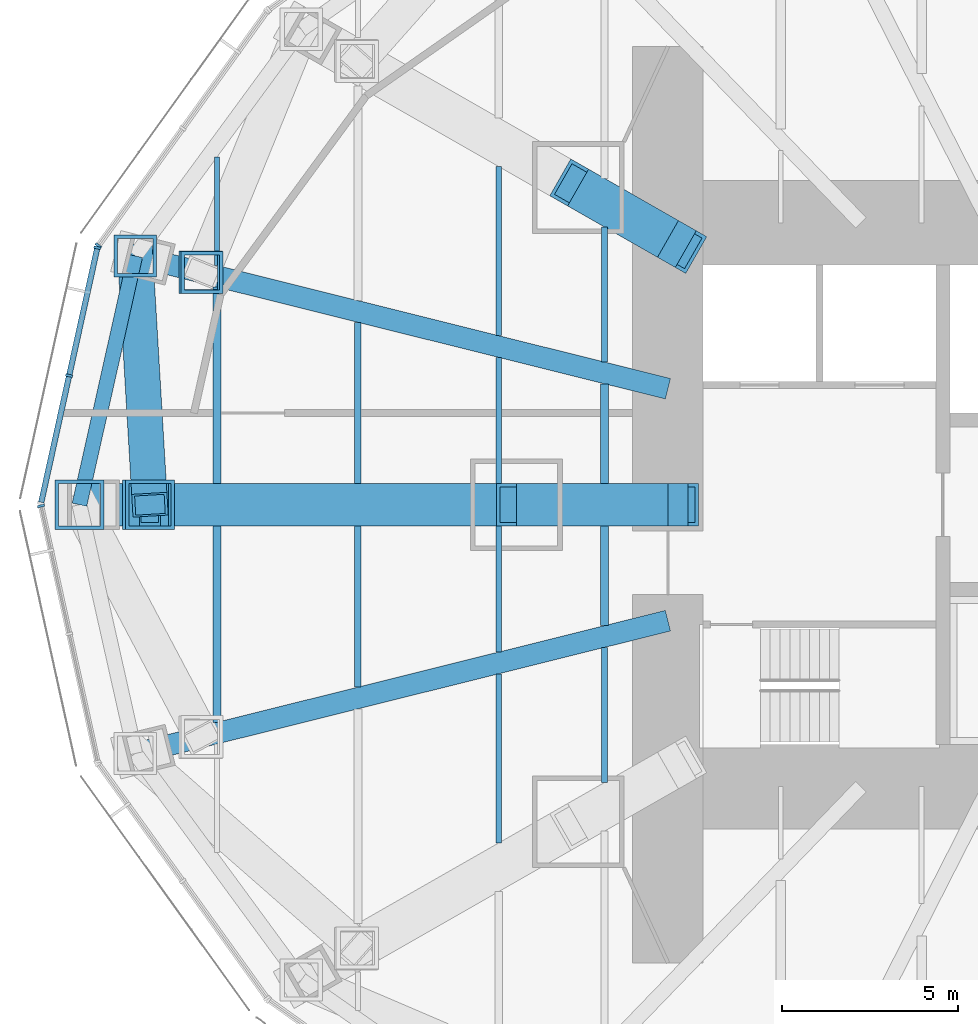
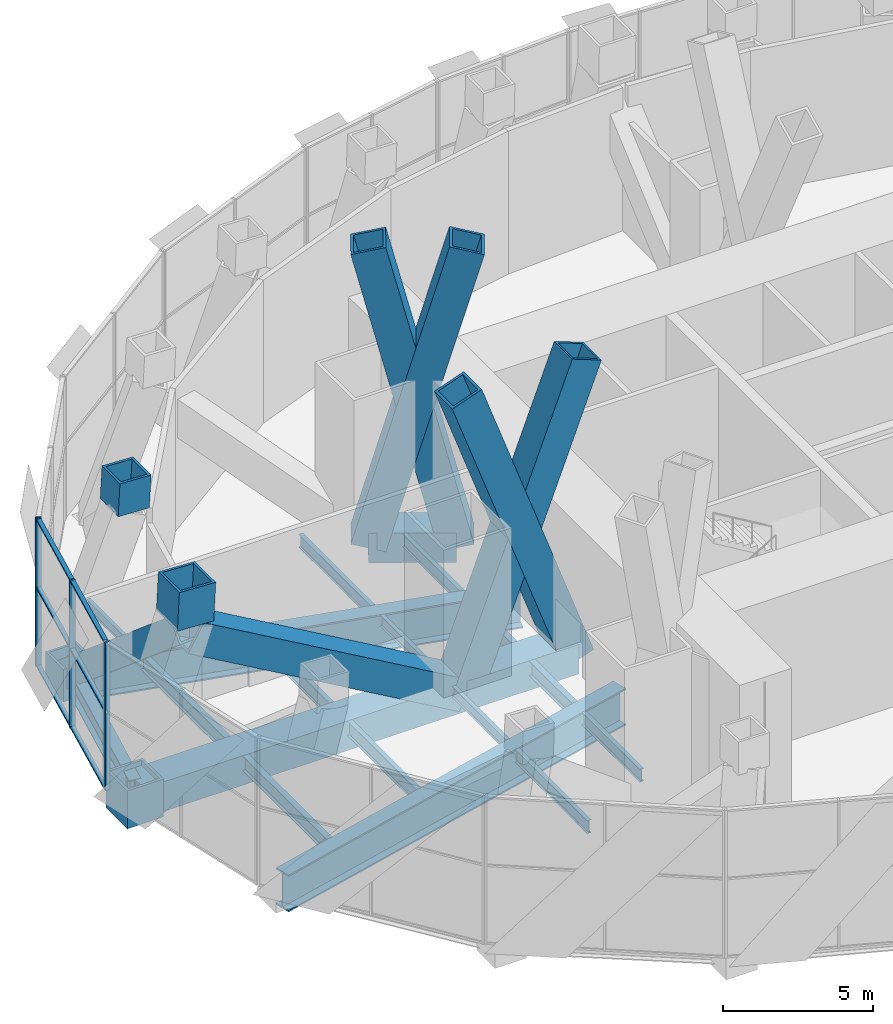
# One storey, part 4 of 21: 20 members, 19 beams, 3 elements without a shape of their own.
"""IFC4 building model written with IfcOpenShell, lengths in metres."""

from ifc_helpers import new_model, si_unit, direction, frame, origin, origin_2d, place, context, subcontext, project, spatial, rectangle, hollow_rectangle, i_section, extrude, material, material_profile, profile_set, type_object, element, aggregate, save


model = new_model("IFC4")

# Units and contexts
model_context = context("Model", 3, precision=1e-05, world=origin(), true_north=direction((0.0, 1.0)))
body_context = subcontext(model_context, "Body", "Model", "MODEL_VIEW")
ifc_project = project(units=[si_unit("LENGTHUNIT", "METRE"), si_unit("AREAUNIT", "SQUARE_METRE"), si_unit("VOLUMEUNIT", "CUBIC_METRE"), si_unit("PLANEANGLEUNIT", "RADIAN"), si_unit("MASSUNIT", "GRAM", prefix="KILO")], contexts=[model_context])

# Site, building, storey
site_placement = place(None, origin())
site = spatial("IfcSite", under=ifc_project, at=site_placement, CompositionType="ELEMENT")
building_placement = place(site_placement, origin())
building = spatial("IfcBuilding", under=site, at=building_placement, Name="Lantaw Convention Tower", CompositionType="ELEMENT")
storey_placement = place(building_placement, frame((0.0, 0.0, 105.39990234375)))
storey = spatial("IfcBuildingStorey", under=building, at=storey_placement, Name="L25", CompositionType="ELEMENT", Elevation=105.39990234375)

# Beams
ifc_material_1 = material(Name="Steel ASTM A992", Category="steel")
ifc_material_profile_1 = material_profile(ifc_material_1, i_section(OverallWidth=0.424072265625, OverallDepth=0.947509765625, WebThickness=0.02392578125, FlangeThickness=0.042724609375, FilletRadius=0.012451171875, at=origin_2d()), Name="W36X302")
ifc_profile_set_1 = profile_set([ifc_material_profile_1], Name="Steel ASTM A992")
beam_type_1 = type_object("IfcBeamType", Name="Beam BC W36X302", PredefinedType="SPANDREL", material=ifc_profile_set_1)
beam_1_placement = place(storey_placement, frame((-28.31787109375, 7.060302734375, -0.673583984375), z_axis=(-0.218652184873, -0.975802860239, 0.0), x_axis=(0.975802860239, -0.218652184873, 0.0)))
element("IfcBeam", 1, at=beam_1_placement, inside=storey, type_object=beam_type_1, Name="Belt truss chord 12", PredefinedType="SPANDREL", context=body_context, shape_type="SweptSolid", body=[
    extrude(i_section(OverallWidth=0.424072265625, OverallDepth=0.947509765625, WebThickness=0.02392578125, FlangeThickness=0.042724609375, FilletRadius=0.012451171875, at=origin_2d()), origin(), (0.0, 0.0, 1.0), 7.2353515625),
])
ifc_material_2 = material(Name="Steel EN 10025-3 S460N", Category="steel")
ifc_material_profile_2 = material_profile(ifc_material_2, hollow_rectangle(XDim=1.199951171875, YDim=1.199951171875, WallThickness=0.10009765625, at=origin_2d()), Name="BOX1200X100")
ifc_profile_set_2 = profile_set([ifc_material_profile_2], Name="Steel EN 10025-3 S460N")
beam_type_2 = type_object("IfcBeamType", Name="Beam G BOX1200X100", PredefinedType="BEAM", material=ifc_profile_set_2)
beam_2_placement = place(storey_placement, frame((-17.5, 0.0, -0.7998046875), z_axis=(-1.0, 0.0, 0.0), x_axis=(0.0, -1.0, 0.0)))
element("IfcBeam", 2, at=beam_2_placement, inside=storey, type_object=beam_type_2, Name="Floor girder on ray 13", PredefinedType="BEAM", context=body_context, shape_type="SweptSolid", body=[
    extrude(hollow_rectangle(XDim=1.199951171875, YDim=1.199951171875, WallThickness=0.10009765625, at=origin_2d()), origin(), (0.0, 0.0, 1.0), 12.39990234375),
])
ifc_material_3 = material(Name="Steel ASTM A572 Grade 50", Category="steel")
ifc_material_profile_3 = material_profile(ifc_material_3, i_section(OverallWidth=0.60009765625, OverallDepth=1.5, WebThickness=0.02490234375, FlangeThickness=0.06005859375, at=origin_2d()), Name="PG1500X600X25X60")
ifc_profile_set_3 = profile_set([ifc_material_profile_3], Name="Steel ASTM A572 Grade 50")
beam_type_3 = type_object("IfcBeamType", Name="Beam G PG1500X600X25X60", PredefinedType="BEAM", material=ifc_profile_set_3)
for number, where, z_axis, x_axis, name in (
    (3, (-13.199951171875, 3.291015625, -0.949951171875), (-0.970296233567, 0.241919860957, 0.0), (-0.241919860957, -0.970296233567, 0.0), "Floor girder on ray 12"),
    (4, (-13.199951171875, -3.291015625, -0.949951171875), (-0.970296233567, -0.241919860957, 0.0), (0.241919860957, -0.970296233567, 0.0), "Floor girder on ray 14"),
):
    element("IfcBeam", number, at=place(storey_placement, frame(where, z_axis=z_axis, x_axis=x_axis)), inside=storey, type_object=beam_type_3, Name=name, PredefinedType="BEAM", context=body_context, shape_type="SweptSolid", body=[
        extrude(i_section(OverallWidth=0.60009765625, OverallDepth=1.5, WebThickness=0.02490234375, FlangeThickness=0.06005859375, at=origin_2d()), origin(), (0.0, 0.0, 1.0), 15.580810546875),
    ])
ifc_material_profile_4 = material_profile(ifc_material_1, i_section(OverallWidth=0.140380859375, OverallDepth=0.40380859375, WebThickness=0.007080078125, FlangeThickness=0.01123046875, FilletRadius=0.01025390625, at=origin_2d()), Name="W16X31")
ifc_profile_set_4 = profile_set([ifc_material_profile_4], Name="Steel ASTM A992")
beam_type_4 = type_object("IfcBeamType", Name="Beam J W16X31", PredefinedType="JOIST", material=ifc_profile_set_4)
beam_3_placement = place(storey_placement, frame((-26.0, 6.791748046875, -0.40185546875), z_axis=(0.0, 1.0, 0.0), x_axis=(-1.0, 0.0, 0.0)))
element("IfcBeam", 5, at=beam_3_placement, inside=storey, type_object=beam_type_4, Name="Floor joist", PredefinedType="JOIST", context=body_context, shape_type="SweptSolid", body=[
    extrude(i_section(OverallWidth=0.140380859375, OverallDepth=0.40380859375, WebThickness=0.007080078125, FlangeThickness=0.01123046875, FilletRadius=0.01025390625, at=origin_2d()), origin(), (0.0, 0.0, 1.0), 3.0712890625),
])
ifc_material_profile_5 = material_profile(ifc_material_1, i_section(OverallWidth=0.15234375, OverallDepth=0.449462890625, WebThickness=0.007568359375, FlangeThickness=0.0107421875, FilletRadius=0.01025390625, at=origin_2d()), Name="W18X35")
ifc_profile_set_5 = profile_set([ifc_material_profile_5], Name="Steel ASTM A992")
beam_type_5 = type_object("IfcBeamType", Name="Beam J W18X35", PredefinedType="JOIST", material=ifc_profile_set_5)
for number, where, z_axis, x_axis, name in (
    (6, (-18.0, -4.1787109375, -0.4248046875), (0.0, 1.0, 0.0), (-1.0, 0.0, 0.0), "Floor joist"),
    (7, (-18.0, 0.60009765625, -0.4248046875), (0.0, 1.0, 0.0), (-1.0, 0.0, 0.0), "Floor joist"),
):
    element("IfcBeam", number, at=place(storey_placement, frame(where, z_axis=z_axis, x_axis=x_axis)), inside=storey, type_object=beam_type_5, Name=name, PredefinedType="JOIST", context=body_context, shape_type="SweptSolid", body=[
        extrude(i_section(OverallWidth=0.15234375, OverallDepth=0.449462890625, WebThickness=0.007568359375, FlangeThickness=0.0107421875, FilletRadius=0.01025390625, at=origin_2d()), origin(), (0.0, 0.0, 1.0), 3.57861328125),
    ])
ifc_material_profile_6 = material_profile(ifc_material_1, i_section(OverallWidth=0.1650390625, OverallDepth=0.52587890625, WebThickness=0.0087890625, FlangeThickness=0.011474609375, FilletRadius=0.0126953125, at=origin_2d()), Name="W21X44")
ifc_profile_set_6 = profile_set([ifc_material_profile_6], Name="Steel ASTM A992")
beam_type_6 = type_object("IfcBeamType", Name="Beam J W21X44", PredefinedType="JOIST", material=ifc_profile_set_6)
for number, where, z_axis, x_axis, name in (
    (8, (-18.0, -9.5947265625, -0.462890625), (0.0, 1.0, 0.0), (-1.0, 0.0, 0.0), "Floor joist"),
    (9, (-18.0, 4.797119140625, -0.462890625), (0.0, 1.0, 0.0), (-1.0, 0.0, 0.0), "Floor joist"),
):
    element("IfcBeam", number, at=place(storey_placement, frame(where, z_axis=z_axis, x_axis=x_axis)), inside=storey, type_object=beam_type_6, Name=name, PredefinedType="JOIST", context=body_context, shape_type="SweptSolid", body=[
        extrude(i_section(OverallWidth=0.1650390625, OverallDepth=0.52587890625, WebThickness=0.0087890625, FlangeThickness=0.011474609375, FilletRadius=0.0126953125, at=origin_2d()), origin(), (0.0, 0.0, 1.0), 4.797607421875),
    ])
for number, where, z_axis, x_axis, name in (
    (10, (-15.0, -7.88037109375, -0.462890625), (0.0, 1.0, 0.0), (-1.0, 0.0, 0.0), "Floor joist"),
    (11, (-15.0, 4.049072265625, -0.462890625), (0.0, 1.0, 0.0), (-1.0, 0.0, 0.0), "Floor joist"),
):
    element("IfcBeam", number, at=place(storey_placement, frame(where, z_axis=z_axis, x_axis=x_axis)), inside=storey, type_object=beam_type_6, Name=name, PredefinedType="JOIST", context=body_context, shape_type="SweptSolid", body=[
        extrude(i_section(OverallWidth=0.1650390625, OverallDepth=0.52587890625, WebThickness=0.0087890625, FlangeThickness=0.011474609375, FilletRadius=0.0126953125, at=origin_2d()), origin(), (0.0, 0.0, 1.0), 3.831298828125),
    ])
ifc_material_profile_7 = material_profile(ifc_material_1, i_section(OverallWidth=0.177978515625, OverallDepth=0.599365234375, WebThickness=0.010009765625, FlangeThickness=0.012939453125, FilletRadius=0.012939453125, at=origin_2d()), Name="W24X55")
ifc_profile_set_7 = profile_set([ifc_material_profile_7], Name="Steel ASTM A992")
beam_type_7 = type_object("IfcBeamType", Name="Beam J W24X55", PredefinedType="JOIST", material=ifc_profile_set_7)
for number, where, z_axis, x_axis, name in (
    (12, (-22.0, -5.176025390625, -0.49951171875), (0.0, 1.0, 0.0), (-1.0, 0.0, 0.0), "Floor joist"),
    (13, (-22.0, 0.60009765625, -0.49951171875), (0.0, 1.0, 0.0), (-1.0, 0.0, 0.0), "Floor joist"),
):
    element("IfcBeam", number, at=place(storey_placement, frame(where, z_axis=z_axis, x_axis=x_axis)), inside=storey, type_object=beam_type_7, Name=name, PredefinedType="JOIST", context=body_context, shape_type="SweptSolid", body=[
        extrude(i_section(OverallWidth=0.177978515625, OverallDepth=0.599365234375, WebThickness=0.010009765625, FlangeThickness=0.012939453125, FilletRadius=0.012939453125, at=origin_2d()), origin(), (0.0, 0.0, 1.0), 4.575927734375),
    ])
ifc_material_profile_8 = material_profile(ifc_material_1, i_section(OverallWidth=0.22900390625, OverallDepth=0.612060546875, WebThickness=0.011962890625, FlangeThickness=0.01953125, FilletRadius=0.0126953125, at=origin_2d()), Name="W24X84")
ifc_profile_set_8 = profile_set([ifc_material_profile_8], Name="Steel ASTM A992")
beam_type_8 = type_object("IfcBeamType", Name="Beam J W24X84", PredefinedType="JOIST", material=ifc_profile_set_8)
for number, where, z_axis, x_axis, name in (
    (14, (-26.0, -6.17333984375, -0.505859375), (0.0, 1.0, 0.0), (-1.0, 0.0, 0.0), "Floor joist"),
    (15, (-26.0, 0.60009765625, -0.505859375), (0.0, 1.0, 0.0), (-1.0, 0.0, 0.0), "Floor joist"),
):
    element("IfcBeam", number, at=place(storey_placement, frame(where, z_axis=z_axis, x_axis=x_axis)), inside=storey, type_object=beam_type_8, Name=name, PredefinedType="JOIST", context=body_context, shape_type="SweptSolid", body=[
        extrude(i_section(OverallWidth=0.22900390625, OverallDepth=0.612060546875, WebThickness=0.011962890625, FlangeThickness=0.01953125, FilletRadius=0.0126953125, at=origin_2d()), origin(), (0.0, 0.0, 1.0), 5.5732421875),
    ])
for number, where, z_axis, x_axis, name in (
    (16, (-15.0, -3.4306640625, -0.505859375), (0.0, 1.0, 0.0), (-1.0, 0.0, 0.0), "Floor joist"),
    (17, (-15.0, 0.60009765625, -0.505859375), (0.0, 1.0, 0.0), (-1.0, 0.0, 0.0), "Floor joist"),
):
    element("IfcBeam", number, at=place(storey_placement, frame(where, z_axis=z_axis, x_axis=x_axis)), inside=storey, type_object=beam_type_8, Name=name, PredefinedType="JOIST", context=body_context, shape_type="SweptSolid", body=[
        extrude(i_section(OverallWidth=0.22900390625, OverallDepth=0.612060546875, WebThickness=0.011962890625, FlangeThickness=0.01953125, FilletRadius=0.0126953125, at=origin_2d()), origin(), (0.0, 0.0, 1.0), 2.83056640625),
    ])
ifc_material_profile_9 = material_profile(ifc_material_2, hollow_rectangle(XDim=1.199951171875, YDim=1.199951171875, WallThickness=0.10009765625, at=origin_2d()), Name="BOX1200X100")
ifc_profile_set_9 = profile_set([ifc_material_profile_9], Name="Steel EN 10025-3 S460N")
beam_type_9 = type_object("IfcBeamType", Name="Beam OC BOX1200X100", PredefinedType="BEAM", material=ifc_profile_set_9)
beam_4_placement = place(storey_placement, frame((-13.199951171875, 7.54296875, -0.7998046875), z_axis=(-0.868263603466, 0.496103129295, 0.0), x_axis=(-0.496103129295, -0.868263603466, 0.0)))
element("IfcBeam", 18, at=beam_4_placement, inside=storey, type_object=beam_type_9, Name="Outrigger chord on ray 11", PredefinedType="BEAM", context=body_context, shape_type="SweptSolid", body=[
    extrude(hollow_rectangle(XDim=1.199951171875, YDim=1.199951171875, WallThickness=0.10009765625, at=origin_2d()), origin(), (0.0, 0.0, 1.0), 2.93701171875),
])
beam_5_placement = place(storey_placement, frame((-13.199951171875, 0.0, -0.7998046875), z_axis=(-1.0, 0.0, 0.0), x_axis=(0.0, -1.0, 0.0)))
element("IfcBeam", 19, at=beam_5_placement, inside=storey, type_object=beam_type_9, Name="Outrigger chord on ray 13", PredefinedType="BEAM", context=body_context, shape_type="SweptSolid", body=[
    extrude(hollow_rectangle(XDim=1.199951171875, YDim=1.199951171875, WallThickness=0.10009765625, at=origin_2d()), origin(), (0.0, 0.0, 1.0), 4.300048828125),
])

# Curtain wall, member
ifc_material_4 = material(Name="Aluminium framed curtain wall", Category="aluminium")
curtain_wall_type = type_object("IfcCurtainWallType", Name="Plant floor louvre wall, pale aluminium", PredefinedType="USERDEFINED", material=ifc_material_4)
curtain_wall_1_placement = place(storey_placement, origin())
curtain_wall_1 = element("IfcCurtainWall", 20, at=curtain_wall_1_placement, inside=storey, type_object=curtain_wall_type, Name="Plant floor louvre wall, pale aluminium L25", ObjectType="LOUVRE WALL", PredefinedType="USERDEFINED")
ifc_material_5 = material(Name="Aluminium 6063-T6", Category="aluminium")
ifc_material_profile_10 = material_profile(ifc_material_5, rectangle(XDim=0.199951171875, YDim=0.070068359375, at=origin_2d()), Name="CW-LV mullion 70x200")
ifc_profile_set_10 = profile_set([ifc_material_profile_10], Name="Aluminium 6063-T6")
member_type_1 = type_object("IfcMemberType", Name="CW-LV mullion 70x200", PredefinedType="MULLION", material=ifc_profile_set_10)
member_1_placement = place(storey_placement, frame((-29.36474609375, 7.35498046875, -0.199951171875), z_axis=(0.0, 0.0, 1.0), x_axis=(0.811788726895, -0.583951250436, 0.0)))
member_1 = element("IfcMember", 21, at=member_1_placement, type_object=member_type_1, Name="CW-LV mullion 3", PredefinedType="MULLION", context=body_context, shape_type="SweptSolid", body=[
    extrude(rectangle(XDim=0.199951171875, YDim=0.070068359375, at=origin_2d()), origin(), (0.0, 0.0, 1.0), 6.0),
])
aggregate(curtain_wall_1, [member_1])

# Curtain wall, members
curtain_wall_2_placement = place(storey_placement, origin())
curtain_wall_2 = element("IfcCurtainWall", 22, at=curtain_wall_2_placement, inside=storey, type_object=curtain_wall_type, Name="Plant floor louvre wall, pale aluminium L25", ObjectType="LOUVRE WALL", PredefinedType="USERDEFINED")
member_2_placement = place(storey_placement, frame((-29.392578125, 7.29248046875, -0.199951171875), z_axis=(0.0, 0.0, 1.0), x_axis=(0.976559847223, -0.215246056391, 0.0)))
member_2 = element("IfcMember", 23, at=member_2_placement, type_object=member_type_1, Name="CW-LV mullion 1", PredefinedType="MULLION", context=body_context, shape_type="SweptSolid", body=[
    extrude(rectangle(XDim=0.199951171875, YDim=0.070068359375, at=origin_2d()), origin(), (0.0, 0.0, 1.0), 6.0),
])
member_3_placement = place(storey_placement, frame((-30.192626953125, 3.663330078125, -0.199951171875), z_axis=(0.0, 0.0, 1.0), x_axis=(0.976559847223, -0.215246056391, 0.0)))
member_3 = element("IfcMember", 24, at=member_3_placement, type_object=member_type_1, Name="CW-LV mullion 2", PredefinedType="MULLION", context=body_context, shape_type="SweptSolid", body=[
    extrude(rectangle(XDim=0.199951171875, YDim=0.070068359375, at=origin_2d()), origin(), (0.0, 0.0, 1.0), 6.0),
])

# Curtain wall, member
curtain_wall_3_placement = place(storey_placement, origin())
curtain_wall_3 = element("IfcCurtainWall", 25, at=curtain_wall_3_placement, inside=storey, type_object=curtain_wall_type, Name="Plant floor louvre wall, pale aluminium L25", ObjectType="LOUVRE WALL", PredefinedType="USERDEFINED")
member_4_placement = place(storey_placement, frame((-30.992431640625, -0.0341796875, -0.199951171875), z_axis=(0.0, 0.0, 1.0), x_axis=(0.976559847223, 0.215246056391, 0.0)))
member_4 = element("IfcMember", 26, at=member_4_placement, type_object=member_type_1, Name="CW-LV mullion 1", PredefinedType="MULLION", context=body_context, shape_type="SweptSolid", body=[
    extrude(rectangle(XDim=0.199951171875, YDim=0.070068359375, at=origin_2d()), origin(), (0.0, 0.0, 1.0), 6.0),
])
aggregate(curtain_wall_3, [member_4])

# Member
ifc_material_profile_11 = material_profile(ifc_material_5, rectangle(XDim=0.159912109375, YDim=0.070068359375, at=origin_2d()), Name="CW-LV transom 70x160")
ifc_profile_set_11 = profile_set([ifc_material_profile_11], Name="Aluminium 6063-T6")
member_type_2 = type_object("IfcMemberType", Name="CW-LV transom 70x160", PredefinedType="USERDEFINED", material=ifc_profile_set_11)
member_5_placement = place(storey_placement, frame((-29.400146484375, 7.25830078125, -0.164794921875), z_axis=(-0.215264114619, -0.976555866788, 0.0), x_axis=(0.976555866788, -0.215264114619, 0.0)))
member_5 = element("IfcMember", 27, at=member_5_placement, type_object=member_type_2, Name="CW-LV transom 1.1", ObjectType="TRANSOM", PredefinedType="USERDEFINED", context=body_context, shape_type="SweptSolid", body=[
    extrude(rectangle(XDim=0.159912109375, YDim=0.070068359375, at=origin_2d()), origin(), (0.0, 0.0, 1.0), 3.646240234375),
])

member_6_placement = place(storey_placement, frame((-29.400146484375, 7.25830078125, 3.0), z_axis=(-0.215264114619, -0.976555866788, 0.0), x_axis=(0.976555866788, -0.215264114619, 0.0)))
member_6 = element("IfcMember", 28, at=member_6_placement, type_object=member_type_2, Name="CW-LV transom 1.2", ObjectType="TRANSOM", PredefinedType="USERDEFINED", context=body_context, shape_type="SweptSolid", body=[
    extrude(rectangle(XDim=0.159912109375, YDim=0.070068359375, at=origin_2d()), origin(), (0.0, 0.0, 1.0), 3.646240234375),
])

member_7_placement = place(storey_placement, frame((-29.400146484375, 7.25830078125, 5.76513671875), z_axis=(-0.215264114619, -0.976555866788, 0.0), x_axis=(0.976555866788, -0.215264114619, 0.0)))
member_7 = element("IfcMember", 29, at=member_7_placement, type_object=member_type_2, Name="CW-LV transom 1.3", ObjectType="TRANSOM", PredefinedType="USERDEFINED", context=body_context, shape_type="SweptSolid", body=[
    extrude(rectangle(XDim=0.159912109375, YDim=0.070068359375, at=origin_2d()), origin(), (0.0, 0.0, 1.0), 3.646240234375),
])

member_8_placement = place(storey_placement, frame((-30.2001953125, 3.629150390625, -0.164794921875), z_axis=(-0.215200259718, -0.976569940259, 0.0), x_axis=(0.976569940259, -0.215200259718, 0.0)))
member_8 = element("IfcMember", 30, at=member_8_placement, type_object=member_type_2, Name="CW-LV transom 2.1", ObjectType="TRANSOM", PredefinedType="USERDEFINED", context=body_context, shape_type="SweptSolid", body=[
    extrude(rectangle(XDim=0.159912109375, YDim=0.070068359375, at=origin_2d()), origin(), (0.0, 0.0, 1.0), 3.646240234375),
])

member_9_placement = place(storey_placement, frame((-30.2001953125, 3.629150390625, 3.0), z_axis=(-0.215200259718, -0.976569940259, 0.0), x_axis=(0.976569940259, -0.215200259718, 0.0)))
member_9 = element("IfcMember", 31, at=member_9_placement, type_object=member_type_2, Name="CW-LV transom 2.2", ObjectType="TRANSOM", PredefinedType="USERDEFINED", context=body_context, shape_type="SweptSolid", body=[
    extrude(rectangle(XDim=0.159912109375, YDim=0.070068359375, at=origin_2d()), origin(), (0.0, 0.0, 1.0), 3.646240234375),
])

member_10_placement = place(storey_placement, frame((-30.2001953125, 3.629150390625, 5.76513671875), z_axis=(-0.215200259718, -0.976569940259, 0.0), x_axis=(0.976569940259, -0.215200259718, 0.0)))
member_10 = element("IfcMember", 32, at=member_10_placement, type_object=member_type_2, Name="CW-LV transom 2.3", ObjectType="TRANSOM", PredefinedType="USERDEFINED", context=body_context, shape_type="SweptSolid", body=[
    extrude(rectangle(XDim=0.159912109375, YDim=0.070068359375, at=origin_2d()), origin(), (0.0, 0.0, 1.0), 3.646240234375),
])

aggregate(curtain_wall_2, [member_2, member_3, member_5, member_6, member_7, member_8, member_9, member_10])

# Members
ifc_material_profile_12 = material_profile(ifc_material_3, hollow_rectangle(XDim=1.0, YDim=1.0, WallThickness=0.080078125, at=origin_2d()), Name="BOX1000X80")
ifc_profile_set_12 = profile_set([ifc_material_profile_12], Name="Steel ASTM A572 Grade 50")
member_type_3 = type_object("IfcMemberType", Name="Member BT BOX1000X80", PredefinedType="BRACE", material=ifc_profile_set_12)
member_11_placement = place(storey_placement, frame((-28.31787109375, 7.060302734375, -0.673583984375), z_axis=(0.045064815691, -0.761232129065, 0.646911746737), x_axis=(0.998252282302, 0.059096369422, 0.0)))
element("IfcMember", 33, at=member_11_placement, inside=storey, type_object=member_type_3, Name="Belt truss diagonal 12", PredefinedType="BRACE", context=body_context, shape_type="SweptSolid", body=[
    extrude(hollow_rectangle(XDim=1.0, YDim=1.0, WallThickness=0.080078125, at=origin_2d()), origin(), (0.0, 0.0, 1.0), 9.27490234375),
])
ifc_material_6 = material(Name="Cast steel ASTM A148 Grade 80-50", Category="steel")
ifc_material_profile_13 = material_profile(ifc_material_6, hollow_rectangle(XDim=1.199951171875, YDim=1.199951171875, WallThickness=0.10009765625, at=origin_2d()), Name="BOX1200X100")
ifc_profile_set_13 = profile_set([ifc_material_profile_13], Name="Cast steel ASTM A148 Grade 80-50")
member_type_4 = type_object("IfcMemberType", Name="Member CN BOX1200X100", PredefinedType="USERDEFINED", material=ifc_profile_set_13)
member_12_placement = place(storey_placement, frame((-28.31787109375, 7.060302734375, -1.31982421875), z_axis=(0.0, 0.0, 1.0), x_axis=(1.0, 0.0, 0.0)))
element("IfcMember", 34, at=member_12_placement, inside=storey, type_object=member_type_4, Name="Cast steel column node", ObjectType="COLUMN NODE", PredefinedType="USERDEFINED", context=body_context, shape_type="SweptSolid", body=[
    extrude(hollow_rectangle(XDim=1.199951171875, YDim=1.199951171875, WallThickness=0.10009765625, at=origin_2d()), origin(), (0.0, 0.0, 1.0), 1.31982421875),
])
member_13_placement = place(storey_placement, frame((-26.479736328125, 6.60205078125, 5.81103515625), z_axis=(0.045262314505, -0.011269392591, 0.998911569498), x_axis=(0.998975084207, 0.00083343341, -0.045255789938)))
element("IfcMember", 35, at=member_13_placement, inside=storey, type_object=member_type_4, Name="Cast steel column node", ObjectType="COLUMN NODE", PredefinedType="USERDEFINED", context=body_context, shape_type="SweptSolid", body=[
    extrude(hollow_rectangle(XDim=1.199951171875, YDim=1.199951171875, WallThickness=0.10009765625, at=origin_2d()), origin(), (0.0, 0.0, 1.0), 1.321533203125),
])
ifc_material_profile_14 = material_profile(ifc_material_6, hollow_rectangle(XDim=1.39990234375, YDim=1.39990234375, WallThickness=0.10009765625, at=origin_2d()), Name="BOX1400X100")
ifc_profile_set_14 = profile_set([ifc_material_profile_14], Name="Cast steel ASTM A148 Grade 80-50")
member_type_5 = type_object("IfcMemberType", Name="Member CN BOX1400X100", PredefinedType="USERDEFINED", material=ifc_profile_set_14)
member_14_placement = place(storey_placement, frame((-29.89990234375, 0.0, -1.539794921875), z_axis=(0.0, 0.0, 1.0), x_axis=(1.0, 0.0, 0.0)))
element("IfcMember", 36, at=member_14_placement, inside=storey, type_object=member_type_5, Name="Cast steel column node", ObjectType="COLUMN NODE", PredefinedType="USERDEFINED", context=body_context, shape_type="SweptSolid", body=[
    extrude(hollow_rectangle(XDim=1.39990234375, YDim=1.39990234375, WallThickness=0.10009765625, at=origin_2d()), origin(), (0.0, 0.0, 1.0), 1.539794921875),
])
member_15_placement = place(storey_placement, frame((-27.974853515625, 0.0, 5.775634765625), z_axis=(0.048610821675, 0.0, 0.998817795204), x_axis=(0.998817795204, 0.0, -0.048610821675)))
element("IfcMember", 37, at=member_15_placement, inside=storey, type_object=member_type_5, Name="Cast steel column node", ObjectType="COLUMN NODE", PredefinedType="USERDEFINED", context=body_context, shape_type="SweptSolid", body=[
    extrude(hollow_rectangle(XDim=1.39990234375, YDim=1.39990234375, WallThickness=0.10009765625, at=origin_2d()), origin(), (0.0, 0.0, 1.0), 1.541748046875),
])
ifc_material_profile_15 = material_profile(ifc_material_2, hollow_rectangle(XDim=1.199951171875, YDim=1.199951171875, WallThickness=0.10009765625, at=origin_2d()), Name="BOX1200X100")
ifc_profile_set_15 = profile_set([ifc_material_profile_15], Name="Steel EN 10025-3 S460N")
member_type_6 = type_object("IfcMemberType", Name="Member OT BOX1200X100", PredefinedType="BRACE", material=ifc_profile_set_15)
member_16_placement = place(storey_placement, frame((-13.199951171875, 7.54296875, -0.7998046875), z_axis=(-0.205606659543, 0.117478271341, 0.971557902193), x_axis=(-0.496103129295, -0.868263603466, 0.0)))
element("IfcMember", 38, at=member_16_placement, inside=storey, type_object=member_type_6, Name="Outrigger diagonal 11", PredefinedType="BRACE", context=body_context, shape_type="SweptSolid", body=[
    extrude(hollow_rectangle(XDim=1.199951171875, YDim=1.199951171875, WallThickness=0.10009765625, at=origin_2d()), origin(), (0.0, 0.0, 1.0), 12.402587890625),
])
member_17_placement = place(storey_placement, frame((-12.89990234375, 7.371337890625, 11.25), z_axis=(-0.228209902487, 0.130408451216, -0.964838782522), x_axis=(-0.496146947811, -0.868238565244, 0.0)))
element("IfcMember", 39, at=member_17_placement, inside=storey, type_object=member_type_6, Name="Outrigger diagonal 11 (reverse)", PredefinedType="BRACE", context=body_context, shape_type="SweptSolid", body=[
    extrude(hollow_rectangle(XDim=1.199951171875, YDim=1.199951171875, WallThickness=0.10009765625, at=origin_2d()), origin(), (0.0, 0.0, 1.0), 12.489013671875),
])
member_18_placement = place(storey_placement, frame((-13.199951171875, 0.0, -0.7998046875), z_axis=(-0.336097036759, 0.0, 0.941827363099), x_axis=(0.0, -1.0, 0.0)))
element("IfcMember", 40, at=member_18_placement, inside=storey, type_object=member_type_6, Name="Outrigger diagonal 13", PredefinedType="BRACE", context=body_context, shape_type="SweptSolid", body=[
    extrude(hollow_rectangle(XDim=1.199951171875, YDim=1.199951171875, WallThickness=0.10009765625, at=origin_2d()), origin(), (0.0, 0.0, 1.0), 12.794189453125),
])
member_19_placement = place(storey_placement, frame((-12.89990234375, 0.0, 11.25), z_axis=(-0.356651704292, 0.0, -0.934237422621), x_axis=(0.0, -1.0, 0.0)))
element("IfcMember", 41, at=member_19_placement, inside=storey, type_object=member_type_6, Name="Outrigger diagonal 13 (reverse)", PredefinedType="BRACE", context=body_context, shape_type="SweptSolid", body=[
    extrude(hollow_rectangle(XDim=1.199951171875, YDim=1.199951171875, WallThickness=0.10009765625, at=origin_2d()), origin(), (0.0, 0.0, 1.0), 12.89794921875),
])
member_20_placement = place(storey_placement, frame((-17.5, 0.0, -0.7998046875), z_axis=(-0.866183554908, 0.0, 0.499725974117), x_axis=(0.0, -1.0, 0.0)))
element("IfcMember", 42, at=member_20_placement, inside=storey, type_object=member_type_6, Name="Outrigger diagonal 13 (outer)", PredefinedType="BRACE", context=body_context, shape_type="SweptSolid", body=[
    extrude(hollow_rectangle(XDim=1.199951171875, YDim=1.199951171875, WallThickness=0.10009765625, at=origin_2d()), origin(), (0.0, 0.0, 1.0), 12.006591796875),
])

save(model, "model.ifc")
